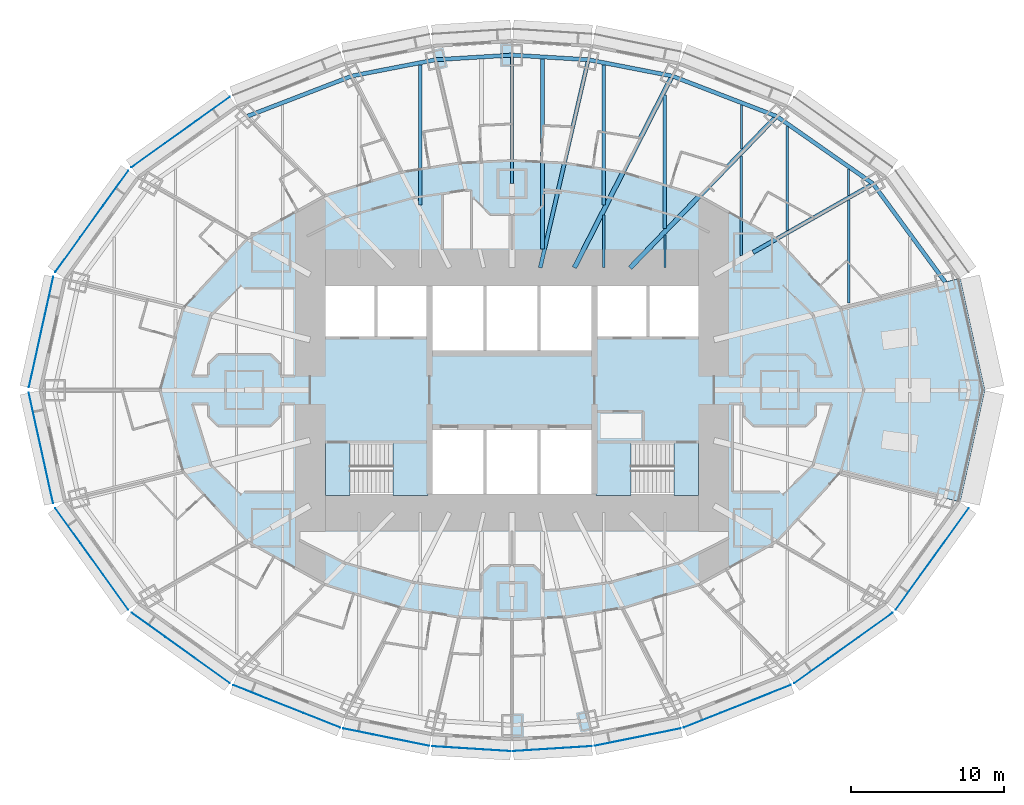
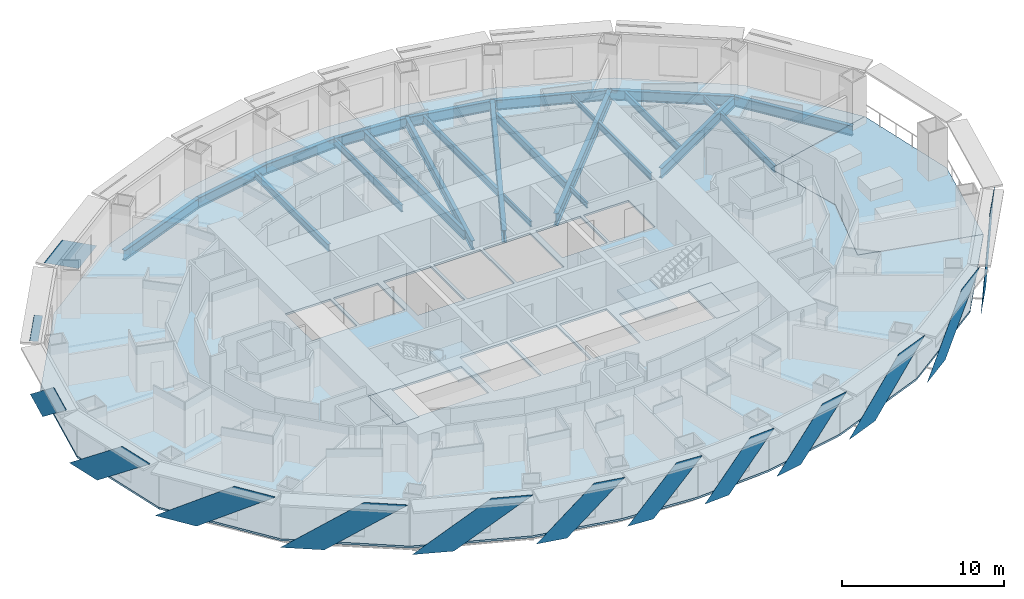
# One storey, part 3 of 17: 24 beams, 14 plates, 6 slabs, 2 elements without a shape of their own.
"""IFC4 building model written with IfcOpenShell, lengths in metres."""

from ifc_helpers import new_model, si_unit, direction, frame, origin, origin_2d, place, context, subcontext, project, spatial, polyline, i_section, outline, extrude, material, layer, layer_set, material_profile, profile_set, type_object, element, aggregate, save


model = new_model("IFC4")

# Units and contexts
model_context = context("Model", 3, precision=1e-05, world=origin(), true_north=direction((0.0, 1.0)))
body_context = subcontext(model_context, "Body", "Model", "MODEL_VIEW")
ifc_project = project(units=[si_unit("LENGTHUNIT", "METRE"), si_unit("AREAUNIT", "SQUARE_METRE"), si_unit("VOLUMEUNIT", "CUBIC_METRE"), si_unit("PLANEANGLEUNIT", "RADIAN"), si_unit("MASSUNIT", "GRAM", prefix="KILO")], contexts=[model_context])

# Site, building, storey
site_placement = place(None, origin())
site = spatial("IfcSite", under=ifc_project, at=site_placement, CompositionType="ELEMENT")
building_placement = place(site_placement, origin())
building = spatial("IfcBuilding", under=site, at=building_placement, Name="Lantaw Convention Tower", CompositionType="ELEMENT")
storey_placement = place(building_placement, frame((0.0, 0.0, 69.39990234375)))
storey = spatial("IfcBuildingStorey", under=building, at=storey_placement, Name="L15", CompositionType="ELEMENT", Elevation=69.39990234375)

# Beams
ifc_material_1 = material(Name="Steel ASTM A992", Category="steel")
ifc_material_profile_1 = material_profile(ifc_material_1, i_section(OverallWidth=0.2666015625, OverallDepth=0.76953125, WebThickness=0.015625, FlangeThickness=0.025390625, FilletRadius=0.0126953125, at=origin_2d()), Name="W30X132")
ifc_profile_set_1 = profile_set([ifc_material_profile_1], Name="Steel ASTM A992")
beam_type_1 = type_object("IfcBeamType", Name="Beam E W30X132", PredefinedType="SPANDREL", material=ifc_profile_set_1)
beam_1_placement = place(storey_placement, frame((28.31787109375, 7.060302734375, -0.53466796875), z_axis=(-0.591270709086, 0.806473154281, 0.0), x_axis=(-0.806473154281, -0.591270709086, 0.0)))
element("IfcBeam", 1, at=beam_1_placement, inside=storey, type_object=beam_type_1, Name="Edge beam 2", PredefinedType="SPANDREL", context=body_context, shape_type="SweptSolid", body=[
    extrude(i_section(OverallWidth=0.2666015625, OverallDepth=0.76953125, WebThickness=0.015625, FlangeThickness=0.025390625, FilletRadius=0.0126953125, at=origin_2d()), origin(), (0.0, 0.0, 1.0), 7.970703125),
])
beam_2_placement = place(storey_placement, frame((23.60498046875, 13.488525390625, -0.53466796875), z_axis=(-0.81942686407, 0.57318375277, 0.0), x_axis=(-0.57318375277, -0.81942686407, 0.0)))
element("IfcBeam", 2, at=beam_2_placement, inside=storey, type_object=beam_type_1, Name="Edge beam 3", PredefinedType="SPANDREL", context=body_context, shape_type="SweptSolid", body=[
    extrude(i_section(OverallWidth=0.2666015625, OverallDepth=0.76953125, WebThickness=0.015625, FlangeThickness=0.025390625, FilletRadius=0.0126953125, at=origin_2d()), origin(), (0.0, 0.0, 1.0), 7.70556640625),
])
beam_3_placement = place(storey_placement, frame((17.290771484375, 17.9052734375, -0.53466796875), z_axis=(-0.933232900641, 0.359271976588, 0.0), x_axis=(-0.359271976588, -0.933232900641, 0.0)))
element("IfcBeam", 3, at=beam_3_placement, inside=storey, type_object=beam_type_1, Name="Edge beam 4", PredefinedType="SPANDREL", context=body_context, shape_type="SweptSolid", body=[
    extrude(i_section(OverallWidth=0.2666015625, OverallDepth=0.76953125, WebThickness=0.015625, FlangeThickness=0.025390625, FilletRadius=0.0126953125, at=origin_2d()), origin(), (0.0, 0.0, 1.0), 7.316650390625),
])
beam_4_placement = place(storey_placement, frame((10.462646484375, 20.533935546875, -0.53466796875), z_axis=(-0.981636565323, 0.190760723474, 0.0), x_axis=(-0.190760723474, -0.981636565323, 0.0)))
element("IfcBeam", 4, at=beam_4_placement, inside=storey, type_object=beam_type_1, Name="Edge beam 5", PredefinedType="SPANDREL", context=body_context, shape_type="SweptSolid", body=[
    extrude(i_section(OverallWidth=0.2666015625, OverallDepth=0.76953125, WebThickness=0.015625, FlangeThickness=0.025390625, FilletRadius=0.0126953125, at=origin_2d()), origin(), (0.0, 0.0, 1.0), 5.578857421875),
])
for number, where, z_axis, x_axis, name in (
    (5, (4.986328125, 21.59814453125, -0.53466796875), (-0.998173858406, 0.060406526096, 0.0), (-0.060406526096, -0.998173858406, 0.0), "Edge beam 6"),
    (6, (0.0, 21.89990234375, -0.53466796875), (-0.998173858406, -0.060406526096, 0.0), (0.060406526096, -0.998173858406, 0.0), "Edge beam 7"),
):
    element("IfcBeam", number, at=place(storey_placement, frame(where, z_axis=z_axis, x_axis=x_axis)), inside=storey, type_object=beam_type_1, Name=name, PredefinedType="SPANDREL", context=body_context, shape_type="SweptSolid", body=[
        extrude(i_section(OverallWidth=0.2666015625, OverallDepth=0.76953125, WebThickness=0.015625, FlangeThickness=0.025390625, FilletRadius=0.0126953125, at=origin_2d()), origin(), (0.0, 0.0, 1.0), 4.995361328125),
    ])
beam_5_placement = place(storey_placement, frame((-4.986328125, 21.59814453125, -0.53466796875), z_axis=(-0.981636565323, -0.190760723474, 0.0), x_axis=(0.190760723474, -0.981636565323, 0.0)))
element("IfcBeam", 7, at=beam_5_placement, inside=storey, type_object=beam_type_1, Name="Edge beam 8", PredefinedType="SPANDREL", context=body_context, shape_type="SweptSolid", body=[
    extrude(i_section(OverallWidth=0.2666015625, OverallDepth=0.76953125, WebThickness=0.015625, FlangeThickness=0.025390625, FilletRadius=0.0126953125, at=origin_2d()), origin(), (0.0, 0.0, 1.0), 5.578857421875),
])
beam_6_placement = place(storey_placement, frame((-10.462646484375, 20.533935546875, -0.53466796875), z_axis=(-0.933232900641, -0.359271976588, 0.0), x_axis=(0.359271976588, -0.933232900641, 0.0)))
element("IfcBeam", 8, at=beam_6_placement, inside=storey, type_object=beam_type_1, Name="Edge beam 9", PredefinedType="SPANDREL", context=body_context, shape_type="SweptSolid", body=[
    extrude(i_section(OverallWidth=0.2666015625, OverallDepth=0.76953125, WebThickness=0.015625, FlangeThickness=0.025390625, FilletRadius=0.0126953125, at=origin_2d()), origin(), (0.0, 0.0, 1.0), 7.316650390625),
])
ifc_material_profile_2 = material_profile(ifc_material_1, i_section(OverallWidth=0.1650390625, OverallDepth=0.52587890625, WebThickness=0.0087890625, FlangeThickness=0.011474609375, FilletRadius=0.0126953125, at=origin_2d()), Name="W21X44")
ifc_profile_set_2 = profile_set([ifc_material_profile_2], Name="Steel ASTM A992")
beam_type_2 = type_object("IfcBeamType", Name="Beam G W21X44", PredefinedType="BEAM", material=ifc_profile_set_2)
beam_7_placement = place(storey_placement, frame((0.0, 13.5, -0.412841796875), z_axis=(0.0, 1.0, 0.0), x_axis=(-1.0, 0.0, 0.0)))
element("IfcBeam", 9, at=beam_7_placement, inside=storey, type_object=beam_type_2, Name="Floor girder on ray 7", PredefinedType="BEAM", context=body_context, shape_type="SweptSolid", body=[
    extrude(i_section(OverallWidth=0.1650390625, OverallDepth=0.52587890625, WebThickness=0.0087890625, FlangeThickness=0.011474609375, FilletRadius=0.0126953125, at=origin_2d()), origin(), (0.0, 0.0, 1.0), 8.39990234375),
])
ifc_material_profile_3 = material_profile(ifc_material_1, i_section(OverallWidth=0.25390625, OverallDepth=0.683349609375, WebThickness=0.012451171875, FlangeThickness=0.01904296875, FilletRadius=0.01513671875, at=origin_2d()), Name="W27X94")
ifc_profile_set_3 = profile_set([ifc_material_profile_3], Name="Steel ASTM A992")
beam_type_3 = type_object("IfcBeamType", Name="Beam G W27X94", PredefinedType="BEAM", material=ifc_profile_set_3)
beam_8_placement = place(storey_placement, frame((1.846923828125, 8.0, -0.491455078125), z_axis=(0.224952773175, 0.97436966796, 0.0), x_axis=(-0.97436966796, 0.224952773175, 0.0)))
element("IfcBeam", 10, at=beam_8_placement, inside=storey, type_object=beam_type_3, Name="Floor girder on ray 6", PredefinedType="BEAM", context=body_context, shape_type="SweptSolid", body=[
    extrude(i_section(OverallWidth=0.25390625, OverallDepth=0.683349609375, WebThickness=0.012451171875, FlangeThickness=0.01904296875, FilletRadius=0.01513671875, at=origin_2d()), origin(), (0.0, 0.0, 1.0), 13.955810546875),
])
ifc_material_profile_4 = material_profile(ifc_material_1, i_section(OverallWidth=0.2666015625, OverallDepth=0.7568359375, WebThickness=0.013916015625, FlangeThickness=0.019287109375, FilletRadius=0.0126953125, at=origin_2d()), Name="W30X108")
ifc_profile_set_4 = profile_set([ifc_material_profile_4], Name="Steel ASTM A992")
beam_type_4 = type_object("IfcBeamType", Name="Beam G W30X108", PredefinedType="BEAM", material=ifc_profile_set_4)
beam_9_placement = place(storey_placement, frame((15.75, 9.0, -0.5283203125), z_axis=(0.868244802791, 0.496136032179, 0.0), x_axis=(-0.496136032179, 0.868244802791, 0.0)))
element("IfcBeam", 11, at=beam_9_placement, inside=storey, type_object=beam_type_4, Name="Floor girder on ray 3", PredefinedType="BEAM", context=body_context, shape_type="SweptSolid", body=[
    extrude(i_section(OverallWidth=0.2666015625, OverallDepth=0.7568359375, WebThickness=0.013916015625, FlangeThickness=0.019287109375, FilletRadius=0.0126953125, at=origin_2d()), origin(), (0.0, 0.0, 1.0), 9.046875),
])
ifc_material_profile_5 = material_profile(ifc_material_1, i_section(OverallWidth=0.307373046875, OverallDepth=0.922119140625, WebThickness=0.018310546875, FlangeThickness=0.030029296875, FilletRadius=0.0126953125, at=origin_2d()), Name="W36X182")
ifc_profile_set_5 = profile_set([ifc_material_profile_5], Name="Steel ASTM A992")
beam_type_5 = type_object("IfcBeamType", Name="Beam G W36X182", PredefinedType="BEAM", material=ifc_profile_set_5)
beam_10_placement = place(storey_placement, frame((7.7255859375, 8.0, -0.61083984375), z_axis=(0.694649884291, 0.719347995239, 0.0), x_axis=(-0.719347995239, 0.694649884291, 0.0)))
element("IfcBeam", 12, at=beam_10_placement, inside=storey, type_object=beam_type_5, Name="Floor girder on ray 4", PredefinedType="BEAM", context=body_context, shape_type="SweptSolid", body=[
    extrude(i_section(OverallWidth=0.307373046875, OverallDepth=0.922119140625, WebThickness=0.018310546875, FlangeThickness=0.030029296875, FilletRadius=0.0126953125, at=origin_2d()), origin(), (0.0, 0.0, 1.0), 13.769775390625),
])
beam_11_placement = place(storey_placement, frame((4.076171875, 8.0, -0.61083984375), z_axis=(0.453997016122, 0.891003203896, 0.0), x_axis=(-0.891003203896, 0.453997016122, 0.0)))
element("IfcBeam", 13, at=beam_11_placement, inside=storey, type_object=beam_type_5, Name="Floor girder on ray 5", PredefinedType="BEAM", context=body_context, shape_type="SweptSolid", body=[
    extrude(i_section(OverallWidth=0.307373046875, OverallDepth=0.922119140625, WebThickness=0.018310546875, FlangeThickness=0.030029296875, FilletRadius=0.0126953125, at=origin_2d()), origin(), (0.0, 0.0, 1.0), 14.067138671875),
])
ifc_material_profile_6 = material_profile(ifc_material_1, i_section(OverallWidth=0.140380859375, OverallDepth=0.40380859375, WebThickness=0.007080078125, FlangeThickness=0.01123046875, FilletRadius=0.01025390625, at=origin_2d()), Name="W16X31")
ifc_profile_set_6 = profile_set([ifc_material_profile_6], Name="Steel ASTM A992")
beam_type_6 = type_object("IfcBeamType", Name="Beam J W16X31", PredefinedType="JOIST", material=ifc_profile_set_6)
beam_12_placement = place(storey_placement, frame((6.0, 8.0, -0.351806640625), z_axis=(0.0, 1.0, 0.0), x_axis=(-1.0, 0.0, 0.0)))
element("IfcBeam", 14, at=beam_12_placement, inside=storey, type_object=beam_type_6, Name="Floor joist", PredefinedType="JOIST", context=body_context, shape_type="SweptSolid", body=[
    extrude(i_section(OverallWidth=0.140380859375, OverallDepth=0.40380859375, WebThickness=0.007080078125, FlangeThickness=0.01123046875, FilletRadius=0.01025390625, at=origin_2d()), origin(), (0.0, 0.0, 1.0), 3.437255859375),
])
beam_13_placement = place(storey_placement, frame((10.0, 8.0, -0.351806640625), z_axis=(0.0, 1.0, 0.0), x_axis=(-1.0, 0.0, 0.0)))
element("IfcBeam", 15, at=beam_13_placement, inside=storey, type_object=beam_type_6, Name="Floor joist", PredefinedType="JOIST", context=body_context, shape_type="SweptSolid", body=[
    extrude(i_section(OverallWidth=0.140380859375, OverallDepth=0.40380859375, WebThickness=0.007080078125, FlangeThickness=0.01123046875, FilletRadius=0.01025390625, at=origin_2d()), origin(), (0.0, 0.0, 1.0), 2.134033203125),
])
beam_14_placement = place(storey_placement, frame((15.0, 15.754150390625, -0.351806640625), z_axis=(0.0, 1.0, 0.0), x_axis=(-1.0, 0.0, 0.0)))
element("IfcBeam", 16, at=beam_14_placement, inside=storey, type_object=beam_type_6, Name="Floor joist", PredefinedType="JOIST", context=body_context, shape_type="SweptSolid", body=[
    extrude(i_section(OverallWidth=0.140380859375, OverallDepth=0.40380859375, WebThickness=0.007080078125, FlangeThickness=0.01123046875, FilletRadius=0.01025390625, at=origin_2d()), origin(), (0.0, 0.0, 1.0), 2.89013671875),
])
beam_15_placement = place(storey_placement, frame((22.0, 12.72509765625, -0.351806640625), z_axis=(0.0, 1.0, 0.0), x_axis=(-1.0, 0.0, 0.0)))
element("IfcBeam", 17, at=beam_15_placement, inside=storey, type_object=beam_type_6, Name="Floor joist", PredefinedType="JOIST", context=body_context, shape_type="SweptSolid", body=[
    extrude(i_section(OverallWidth=0.140380859375, OverallDepth=0.40380859375, WebThickness=0.007080078125, FlangeThickness=0.01123046875, FilletRadius=0.01025390625, at=origin_2d()), origin(), (0.0, 0.0, 1.0), 1.723388671875),
])
ifc_material_profile_7 = material_profile(ifc_material_1, i_section(OverallWidth=0.1650390625, OverallDepth=0.52587890625, WebThickness=0.0087890625, FlangeThickness=0.011474609375, FilletRadius=0.0126953125, at=origin_2d()), Name="W21X44")
ifc_profile_set_7 = profile_set([ifc_material_profile_7], Name="Steel ASTM A992")
beam_type_7 = type_object("IfcBeamType", Name="Beam J W21X44", PredefinedType="JOIST", material=ifc_profile_set_7)
beam_16_placement = place(storey_placement, frame((15.0, 8.803955078125, -0.412841796875), z_axis=(0.0, 1.0, 0.0), x_axis=(-1.0, 0.0, 0.0)))
element("IfcBeam", 18, at=beam_16_placement, inside=storey, type_object=beam_type_7, Name="Floor joist", PredefinedType="JOIST", context=body_context, shape_type="SweptSolid", body=[
    extrude(i_section(OverallWidth=0.1650390625, OverallDepth=0.52587890625, WebThickness=0.0087890625, FlangeThickness=0.011474609375, FilletRadius=0.0126953125, at=origin_2d()), origin(), (0.0, 0.0, 1.0), 6.5078125),
])
beam_17_placement = place(storey_placement, frame((18.0, 10.439208984375, -0.412841796875), z_axis=(0.0, 1.0, 0.0), x_axis=(-1.0, 0.0, 0.0)))
element("IfcBeam", 19, at=beam_17_placement, inside=storey, type_object=beam_type_7, Name="Floor joist", PredefinedType="JOIST", context=body_context, shape_type="SweptSolid", body=[
    extrude(i_section(OverallWidth=0.1650390625, OverallDepth=0.52587890625, WebThickness=0.0087890625, FlangeThickness=0.011474609375, FilletRadius=0.0126953125, at=origin_2d()), origin(), (0.0, 0.0, 1.0), 6.80712890625),
])
beam_18_placement = place(storey_placement, frame((22.0, 5.693359375, -0.412841796875), z_axis=(0.0, 1.0, 0.0), x_axis=(-1.0, 0.0, 0.0)))
element("IfcBeam", 20, at=beam_18_placement, inside=storey, type_object=beam_type_7, Name="Floor joist", PredefinedType="JOIST", context=body_context, shape_type="SweptSolid", body=[
    extrude(i_section(OverallWidth=0.1650390625, OverallDepth=0.52587890625, WebThickness=0.0087890625, FlangeThickness=0.011474609375, FilletRadius=0.0126953125, at=origin_2d()), origin(), (0.0, 0.0, 1.0), 6.724609375),
])
ifc_material_profile_8 = material_profile(ifc_material_1, i_section(OverallWidth=0.2099609375, OverallDepth=0.535888671875, WebThickness=0.010986328125, FlangeThickness=0.017333984375, FilletRadius=0.012939453125, at=origin_2d()), Name="W21X68")
ifc_profile_set_8 = profile_set([ifc_material_profile_8], Name="Steel ASTM A992")
beam_type_8 = type_object("IfcBeamType", Name="Beam J W21X68", PredefinedType="JOIST", material=ifc_profile_set_8)
for number, where, z_axis, x_axis, name in (
    (21, (-6.0, 12.1142578125, -0.41796875), (0.0, 1.0, 0.0), (-1.0, 0.0, 0.0), "Floor joist"),
    (22, (6.0, 12.1142578125, -0.41796875), (0.0, 1.0, 0.0), (-1.0, 0.0, 0.0), "Floor joist"),
):
    element("IfcBeam", number, at=place(storey_placement, frame(where, z_axis=z_axis, x_axis=x_axis)), inside=storey, type_object=beam_type_8, Name=name, PredefinedType="JOIST", context=body_context, shape_type="SweptSolid", body=[
        extrude(i_section(OverallWidth=0.2099609375, OverallDepth=0.535888671875, WebThickness=0.010986328125, FlangeThickness=0.017333984375, FilletRadius=0.012939453125, at=origin_2d()), origin(), (0.0, 0.0, 1.0), 9.15087890625),
    ])
ifc_material_profile_9 = material_profile(ifc_material_1, i_section(OverallWidth=0.227783203125, OverallDepth=0.60205078125, WebThickness=0.010498046875, FlangeThickness=0.014892578125, FilletRadius=0.012939453125, at=origin_2d()), Name="W24X68")
ifc_profile_set_9 = profile_set([ifc_material_profile_9], Name="Steel ASTM A992")
beam_type_9 = type_object("IfcBeamType", Name="Beam J W24X68", PredefinedType="JOIST", material=ifc_profile_set_9)
beam_19_placement = place(storey_placement, frame((10.0, 10.576416015625, -0.450927734375), z_axis=(0.0, 1.0, 0.0), x_axis=(-1.0, 0.0, 0.0)))
element("IfcBeam", 23, at=beam_19_placement, inside=storey, type_object=beam_type_9, Name="Floor joist", PredefinedType="JOIST", context=body_context, shape_type="SweptSolid", body=[
    extrude(i_section(OverallWidth=0.227783203125, OverallDepth=0.60205078125, WebThickness=0.010498046875, FlangeThickness=0.014892578125, FilletRadius=0.012939453125, at=origin_2d()), origin(), (0.0, 0.0, 1.0), 8.711181640625),
])
ifc_material_profile_10 = material_profile(ifc_material_1, i_section(OverallWidth=0.25390625, OverallDepth=0.700927734375, WebThickness=0.015380859375, FlangeThickness=0.02783203125, FilletRadius=0.01513671875, at=origin_2d()), Name="W27X129")
ifc_profile_set_10 = profile_set([ifc_material_profile_10], Name="Steel ASTM A992")
beam_type_10 = type_object("IfcBeamType", Name="Beam J W27X129", PredefinedType="JOIST", material=ifc_profile_set_10)
beam_20_placement = place(storey_placement, frame((2.0, 9.2275390625, -0.50048828125), z_axis=(0.0, 1.0, 0.0), x_axis=(-1.0, 0.0, 0.0)))
element("IfcBeam", 24, at=beam_20_placement, inside=storey, type_object=beam_type_10, Name="Floor joist", PredefinedType="JOIST", context=body_context, shape_type="SweptSolid", body=[
    extrude(i_section(OverallWidth=0.25390625, OverallDepth=0.700927734375, WebThickness=0.015380859375, FlangeThickness=0.02783203125, FilletRadius=0.01513671875, at=origin_2d()), origin(), (0.0, 0.0, 1.0), 12.417724609375),
])

# Slab
ifc_material_2 = material(Name="Concrete C35/45", Category="concrete")
ifc_layer_1 = layer(ifc_material_2, 0.14990234375)
ifc_layer_set_1 = layer_set([ifc_layer_1], Name="Floor slab 150")
slab_type_1 = type_object("IfcSlabType", Name="Floor slab 150", PredefinedType="FLOOR", material=ifc_layer_set_1)
slab_1_placement = place(storey_placement, frame((0.0, 0.0, -0.14990234375)))
element("IfcSlab", 25, at=slab_1_placement, inside=storey, type_object=slab_type_1, Name="L15 floor slab", PredefinedType="FLOOR", context=body_context, shape_type="SweptSolid", body=[
    extrude(outline(polyline([(18.018798828125, -18.630126953125), (24.50634765625, -13.98046875), (29.306884765625, -7.306884765625), (21.483642578125, -5.3564453125), (23.0, 0.0), (21.483642578125, 5.3564453125), (29.306884765625, 7.306884765625), (24.50634765625, 13.98046875), (18.018798828125, 18.630126953125), (10.9404296875, 21.44189453125), (5.223876953125, 22.59521484375), (0.0, 22.9248046875), (-5.223876953125, 22.59521484375), (-10.9404296875, 21.44189453125), (-18.018798828125, 18.630126953125), (-24.50634765625, 13.98046875), (-29.315185546875, 7.29541015625), (-30.923095703125, 0.0), (-29.315185546875, -7.29541015625), (-24.50634765625, -13.98046875), (-18.018798828125, -18.630126953125), (-10.9404296875, -21.44189453125), (-5.223876953125, -22.59521484375), (0.0, -22.9248046875), (5.223876953125, -22.59521484375), (10.9404296875, -21.44189453125), (18.018798828125, -18.630126953125)]), holes=[polyline([(-5.60009765625, -3.5), (-12.199951171875, -3.5), (-12.199951171875, -6.800048828125), (-5.60009765625, -6.800048828125), (-5.60009765625, -3.5)]), polyline([(-1.86669921875, -6.800048828125), (-1.86669921875, -2.60009765625), (-5.199951171875, -2.60009765625), (-5.199951171875, -6.800048828125), (-1.86669921875, -6.800048828125)]), polyline([(-1.86669921875, 2.60009765625), (-1.86669921875, 6.800048828125), (-5.199951171875, 6.800048828125), (-5.199951171875, 2.60009765625), (-1.86669921875, 2.60009765625)]), polyline([(1.666748046875, 6.800048828125), (-1.666748046875, 6.800048828125), (-1.666748046875, 2.60009765625), (1.666748046875, 2.60009765625), (1.666748046875, 6.800048828125)]), polyline([(-9.0, 3.5), (-9.0, 6.800048828125), (-12.199951171875, 6.800048828125), (-12.199951171875, 3.5), (-9.0, 3.5)]), polyline([(-5.60009765625, 3.5), (-5.60009765625, 6.800048828125), (-8.800048828125, 6.800048828125), (-8.800048828125, 3.5), (-5.60009765625, 3.5)]), polyline([(12.199951171875, -3.5), (5.60009765625, -3.5), (5.60009765625, -6.800048828125), (12.199951171875, -6.800048828125), (12.199951171875, -3.5)]), polyline([(1.666748046875, -6.800048828125), (1.666748046875, -2.60009765625), (-1.666748046875, -2.60009765625), (-1.666748046875, -6.800048828125), (1.666748046875, -6.800048828125)]), polyline([(5.199951171875, -6.800048828125), (5.199951171875, -2.60009765625), (1.86669921875, -2.60009765625), (1.86669921875, -6.800048828125), (5.199951171875, -6.800048828125)]), polyline([(5.199951171875, 6.800048828125), (1.86669921875, 6.800048828125), (1.86669921875, 2.60009765625), (5.199951171875, 2.60009765625), (5.199951171875, 6.800048828125)]), polyline([(8.800048828125, 3.5), (8.800048828125, 6.800048828125), (5.60009765625, 6.800048828125), (5.60009765625, 3.5), (8.800048828125, 3.5)]), polyline([(12.199951171875, 3.5), (12.199951171875, 6.800048828125), (9.0, 6.800048828125), (9.0, 3.5), (12.199951171875, 3.5)])]), origin(), (0.0, 0.0, 1.0), 0.14990234375),
])

# Plates
ifc_material_3 = material(Name="Perforated aluminium sheet, pale silver finish", Category="aluminium")
ifc_layer_2 = layer(ifc_material_3, 0.006103515625)
ifc_layer_set_2 = layer_set([ifc_layer_2], Name="Perforated aluminium solar SCREEN panel")
plate_type = type_object("IfcPlateType", Name="Perforated aluminium solar SCREEN panel", PredefinedType="SHEET", material=ifc_layer_set_2)
plate_1_placement = place(storey_placement, frame((-18.44873046875, 19.159912109375, -0.1748046875), z_axis=(0.582561421998, -0.812786681331, 1.5819417e-05), x_axis=(-0.812786681433, -0.582561422071, 0.0)))
element("IfcPlate", 26, at=plate_1_placement, inside=storey, type_object=plate_type, Name="Solar SCREEN panel", PredefinedType="SHEET", context=body_context, shape_type="SweptSolid", body=[
    extrude(outline(polyline([(0.0, 0.0), (2.721095180812288, -3.3881317890172014e-21), (7.903118572410756, -3.739990234842974), (5.182023391598468, -3.739990234842974), (0.0, 0.0)])), origin(), (0.0, 0.0, -1.0), 0.006103515625),
])
plate_2_placement = place(storey_placement, frame((-25.0810546875, 14.34765625, -0.1748046875), z_axis=(0.811791382613, -0.583947558463, 9.019268e-06), x_axis=(-0.583947558486, -0.811791382646, 0.0)))
element("IfcPlate", 27, at=plate_2_placement, inside=storey, type_object=plate_type, Name="Solar SCREEN panel", PredefinedType="SHEET", context=body_context, shape_type="SweptSolid", body=[
    extrude(outline(polyline([(0.0, 0.0), (2.809541672291133, 0.0), (8.163093158837512, -3.739990234527119), (5.353551486546379, -3.739990234527119), (0.0, 0.0)])), origin(), (0.0, 0.0, -1.0), 0.006103515625),
])
plate_3_placement = place(storey_placement, frame((-29.98779296875, 7.408203125, -0.1748046875), z_axis=(-0.97655943558, 0.215247921852, 3.0295023e-05), x_axis=(-0.215247921951, -0.976559436028, -3.12e-10)))
element("IfcPlate", 28, at=plate_3_placement, inside=storey, type_object=plate_type, Name="Solar SCREEN panel", PredefinedType="SHEET", context=body_context, shape_type="SweptSolid", body=[
    extrude(outline(polyline([(0.0, 0.0), (2.5507637944980077, 6.776263578034403e-21), (7.402498250651261, 3.7399902384013473), (4.851496038322192, 3.739990236809246), (0.0, 0.0)])), origin(), (0.0, 0.0, -1.0), 0.006103515625),
])
plate_4_placement = place(storey_placement, frame((-31.5810546875, -0.17919921875, -0.1748046875), z_axis=(0.97655943558, 0.215247921852, 3.0295023e-05), x_axis=(0.215247921951, -0.976559436028, 3.12e-10)))
element("IfcPlate", 29, at=plate_4_placement, inside=storey, type_object=plate_type, Name="Solar SCREEN panel", PredefinedType="SHEET", context=body_context, shape_type="SweptSolid", body=[
    extrude(outline(polyline([(0.0, 0.0), (2.551002212329069, 3.3881317890172014e-21), (7.402498252985418, -3.739990233781388), (4.851734458487411, -3.7399902353733405), (0.0, 0.0)])), origin(), (0.0, 0.0, -1.0), 0.006103515625),
])
plate_5_placement = place(storey_placement, frame((-29.847900390625, -7.720947265625, -0.1748046875), z_axis=(-0.811791382613, -0.583947558463, 9.019268e-06), x_axis=(0.583947558486, -0.811791382646, 0.0)))
element("IfcPlate", 30, at=plate_5_placement, inside=storey, type_object=plate_type, Name="Solar SCREEN panel", PredefinedType="SHEET", context=body_context, shape_type="SweptSolid", body=[
    extrude(outline(polyline([(0.0, 0.0), (2.809541672291133, 0.0), (8.163093158837512, 3.739990234527119), (5.353551486546379, 3.739990234527119), (0.0, 0.0)])), origin(), (0.0, 0.0, -1.0), 0.006103515625),
])
plate_6_placement = place(storey_placement, frame((-24.872314453125, -14.555908203125, -0.1748046875), z_axis=(-0.582561421998, -0.812786681331, 1.5819417e-05), x_axis=(0.812786681433, -0.582561422071, 0.0)))
element("IfcPlate", 31, at=plate_6_placement, inside=storey, type_object=plate_type, Name="Solar SCREEN panel", PredefinedType="SHEET", context=body_context, shape_type="SweptSolid", body=[
    extrude(outline(polyline([(0.0, 0.0), (2.721095180812288, 3.3881317890172014e-21), (7.903118572410756, 3.739990234842974), (5.182023391598468, 3.739990234842974), (0.0, 0.0)])), origin(), (0.0, 0.0, -1.0), 0.006103515625),
])
plate_7_placement = place(storey_placement, frame((-18.232177734375, -19.278076171875, -0.1748046875), z_axis=(0.369183532846, 0.929356508016, 9.163296e-06), x_axis=(0.929356508055, -0.369183532862, 0.0)))
element("IfcPlate", 32, at=plate_7_placement, inside=storey, type_object=plate_type, Name="Solar SCREEN panel", PredefinedType="SHEET", context=body_context, shape_type="SweptSolid", body=[
    extrude(outline(polyline([(0.0, 0.0), (2.594936467166582, -1.6940658945086007e-21), (7.5321069917580825, -3.739990234532016), (4.937170524591499, -3.739990234532016), (0.0, 0.0)])), origin(), (0.0, 0.0, -1.0), 0.006103515625),
])
plate_8_placement = place(storey_placement, frame((-11.03271484375, -22.117919921875, -0.1748046875), z_axis=(0.197781876197, 0.980246055561, 2.418535e-06), x_axis=(0.980246055563, -0.197781876198, 1.46e-10)))
element("IfcPlate", 33, at=plate_8_placement, inside=storey, type_object=plate_type, Name="Solar SCREEN panel", PredefinedType="SHEET", context=body_context, shape_type="SweptSolid", body=[
    extrude(outline(polyline([(0.0, 0.0), (1.9867801772236329, -3.1763735522036263e-22), (5.743587245978565, -3.7399902335493134), (3.7568553553458006, -3.739990234128105), (0.0, 0.0)])), origin(), (0.0, 0.0, -1.0), 0.006103515625),
])
plate_9_placement = place(storey_placement, frame((-5.221923828125, -23.27783203125, -0.1748046875), z_axis=(0.062923905251, 0.998018327468, 1.3605496e-05), x_axis=(0.998018327561, -0.062923905257, 9.3e-10)))
element("IfcPlate", 34, at=plate_9_placement, inside=storey, type_object=plate_type, Name="Solar SCREEN panel", PredefinedType="SHEET", context=body_context, shape_type="SweptSolid", body=[
    extrude(outline(polyline([(0.0, 0.0), (1.7828375409377817, -2.117582368135751e-22), (5.143985963027618, -3.739990229938699), (3.3611637843713935, -3.7399902332537565), (0.0, 0.0)])), origin(), (0.0, 0.0, -1.0), 0.006103515625),
])
plate_10_placement = place(storey_placement, frame((0.088134765625, -23.6015625, -0.1748046875), z_axis=(0.062923905251, -0.998018327468, 1.3605496e-05), x_axis=(0.998018327561, 0.062923905257, -9.3e-10)))
element("IfcPlate", 35, at=plate_10_placement, inside=storey, type_object=plate_type, Name="Solar SCREEN panel", PredefinedType="SHEET", context=body_context, shape_type="SweptSolid", body=[
    extrude(outline(polyline([(0.0, 0.0), (1.782822178656225, -2.117582368135751e-22), (5.143985956073316, 3.7399902395036517), (3.3611484151355353, 3.7399902361885653), (0.0, 0.0)])), origin(), (0.0, 0.0, -1.0), 0.006103515625),
])
plate_11_placement = place(storey_placement, frame((5.402587890625, -23.25390625, -0.1748046875), z_axis=(0.197781876197, -0.980246055561, 2.418535e-06), x_axis=(0.980246055563, 0.197781876198, -1.46e-10)))
element("IfcPlate", 36, at=plate_11_placement, inside=storey, type_object=plate_type, Name="Solar SCREEN panel", PredefinedType="SHEET", context=body_context, shape_type="SweptSolid", body=[
    extrude(outline(polyline([(0.0, 0.0), (1.9867318906327642, 1.0587911840678754e-22), (5.743587244888999, 3.7399902352225842), (3.7568070676653664, 3.7399902346437783), (0.0, 0.0)])), origin(), (0.0, 0.0, -1.0), 0.006103515625),
])
plate_12_placement = place(storey_placement, frame((11.232177734375, -22.058837890625, -0.1748046875), z_axis=(0.369183532846, -0.929356508016, 9.163296e-06), x_axis=(0.929356508055, 0.369183532862, 0.0)))
element("IfcPlate", 37, at=plate_12_placement, inside=storey, type_object=plate_type, Name="Solar SCREEN panel", PredefinedType="SHEET", context=body_context, shape_type="SweptSolid", body=[
    extrude(outline(polyline([(0.0, 0.0), (2.594936467166582, 1.6940658945086007e-21), (7.5321069917580825, 3.739990234532016), (4.937170524591499, 3.739990234532016), (0.0, 0.0)])), origin(), (0.0, 0.0, -1.0), 0.006103515625),
])
plate_13_placement = place(storey_placement, frame((18.44873046875, -19.159912109375, -0.1748046875), z_axis=(-0.582561421998, 0.812786681331, 1.5819417e-05), x_axis=(0.812786681433, 0.582561422071, 0.0)))
element("IfcPlate", 38, at=plate_13_placement, inside=storey, type_object=plate_type, Name="Solar SCREEN panel", PredefinedType="SHEET", context=body_context, shape_type="SweptSolid", body=[
    extrude(outline(polyline([(0.0, 0.0), (2.721095180812288, -3.3881317890172014e-21), (7.903118572410756, -3.739990234842974), (5.182023391598468, -3.739990234842974), (0.0, 0.0)])), origin(), (0.0, 0.0, -1.0), 0.006103515625),
])
plate_14_placement = place(storey_placement, frame((25.0810546875, -14.34765625, -0.1748046875), z_axis=(-0.811791382613, 0.583947558463, 9.019268e-06), x_axis=(0.583947558486, 0.811791382646, 0.0)))
element("IfcPlate", 39, at=plate_14_placement, inside=storey, type_object=plate_type, Name="Solar SCREEN panel", PredefinedType="SHEET", context=body_context, shape_type="SweptSolid", body=[
    extrude(outline(polyline([(0.0, 0.0), (2.809541672291133, 0.0), (8.163093158837512, -3.739990234527119), (5.353551486546379, -3.739990234527119), (0.0, 0.0)])), origin(), (0.0, 0.0, -1.0), 0.006103515625),
])

# Stair, slabs
stair_type = type_object("IfcStairType", Name="Exit stair 1500 riser 163.64 in 2 flights", PredefinedType="HALF_TURN_STAIR", material=ifc_material_2)
stair_1_placement = place(storey_placement, origin())
stair_1 = element("IfcStair", 40, at=stair_1_placement, inside=storey, type_object=stair_type, Name="Exit stair S1 L15", PredefinedType="HALF_TURN_STAIR")
ifc_layer_3 = layer(ifc_material_2, 0.199951171875)
ifc_layer_set_3 = layer_set([ifc_layer_3], Name="Stair landing 200")
slab_type_2 = type_object("IfcSlabType", Name="Stair landing 200", PredefinedType="LANDING", material=ifc_layer_set_3)
slab_2_placement = place(storey_placement, frame((0.0, 0.0, -0.199951171875)))
slab_2 = element("IfcSlab", 41, at=slab_2_placement, type_object=slab_type_2, Name="S1 landing 1", PredefinedType="LANDING", context=body_context, shape_type="SweptSolid", body=[
    extrude(outline(polyline([(-12.199951171875, -6.89990234375), (-10.580078125, -6.89990234375), (-10.580078125, -3.39990234375), (-12.199951171875, -3.39990234375), (-12.199951171875, -6.89990234375)])), origin(), (0.0, 0.0, 1.0), 0.199951171875),
])
slab_3_placement = place(storey_placement, frame((0.0, 0.0, 1.60009765625)))
slab_3 = element("IfcSlab", 42, at=slab_3_placement, type_object=slab_type_2, Name="S1 landing 2", PredefinedType="LANDING", context=body_context, shape_type="SweptSolid", body=[
    extrude(outline(polyline([(-7.780029296875, -6.89990234375), (-5.5, -6.89990234375), (-5.5, -3.39990234375), (-7.780029296875, -3.39990234375), (-7.780029296875, -6.89990234375)])), origin(), (0.0, 0.0, 1.0), 0.199951171875),
])
aggregate(stair_1, [slab_2, slab_3])

stair_2_placement = place(storey_placement, origin())
stair_2 = element("IfcStair", 43, at=stair_2_placement, inside=storey, type_object=stair_type, Name="Exit stair S2 L15", PredefinedType="HALF_TURN_STAIR")
slab_4_placement = place(storey_placement, frame((0.0, 0.0, -0.199951171875)))
slab_4 = element("IfcSlab", 44, at=slab_4_placement, type_object=slab_type_2, Name="S2 landing 1", PredefinedType="LANDING", context=body_context, shape_type="SweptSolid", body=[
    extrude(outline(polyline([(10.580078125, -6.89990234375), (12.199951171875, -6.89990234375), (12.199951171875, -3.39990234375), (10.580078125, -3.39990234375), (10.580078125, -6.89990234375)])), origin(), (0.0, 0.0, 1.0), 0.199951171875),
])
slab_5_placement = place(storey_placement, frame((0.0, 0.0, 1.60009765625)))
slab_5 = element("IfcSlab", 45, at=slab_5_placement, type_object=slab_type_2, Name="S2 landing 2", PredefinedType="LANDING", context=body_context, shape_type="SweptSolid", body=[
    extrude(outline(polyline([(5.5, -6.89990234375), (7.780029296875, -6.89990234375), (7.780029296875, -3.39990234375), (5.5, -3.39990234375), (5.5, -6.89990234375)])), origin(), (0.0, 0.0, 1.0), 0.199951171875),
])
aggregate(stair_2, [slab_4, slab_5])

# Slab
ifc_layer_4 = layer(ifc_material_2, 0.14990234375)
ifc_layer_set_4 = layer_set([ifc_layer_4], Name="Terrace slab 150")
slab_type_3 = type_object("IfcSlabType", Name="Terrace slab 150", PredefinedType="ROOF", material=ifc_layer_set_4)
slab_6_placement = place(storey_placement, frame((0.0, 0.0, -0.14990234375)))
element("IfcSlab", 46, at=slab_6_placement, inside=storey, type_object=slab_type_3, Name="L15 sky garden terrace", PredefinedType="ROOF", context=body_context, shape_type="SweptSolid", body=[
    extrude(outline(polyline([(21.483642578125, 5.3564453125), (23.0, 0.0), (21.483642578125, -5.3564453125), (29.306884765625, -7.306884765625), (29.315185546875, -7.29541015625), (30.923095703125, 0.0), (29.315185546875, 7.29541015625), (29.306884765625, 7.306884765625), (21.483642578125, 5.3564453125)])), origin(), (0.0, 0.0, 1.0), 0.14990234375),
])

save(model, "model.ifc")
